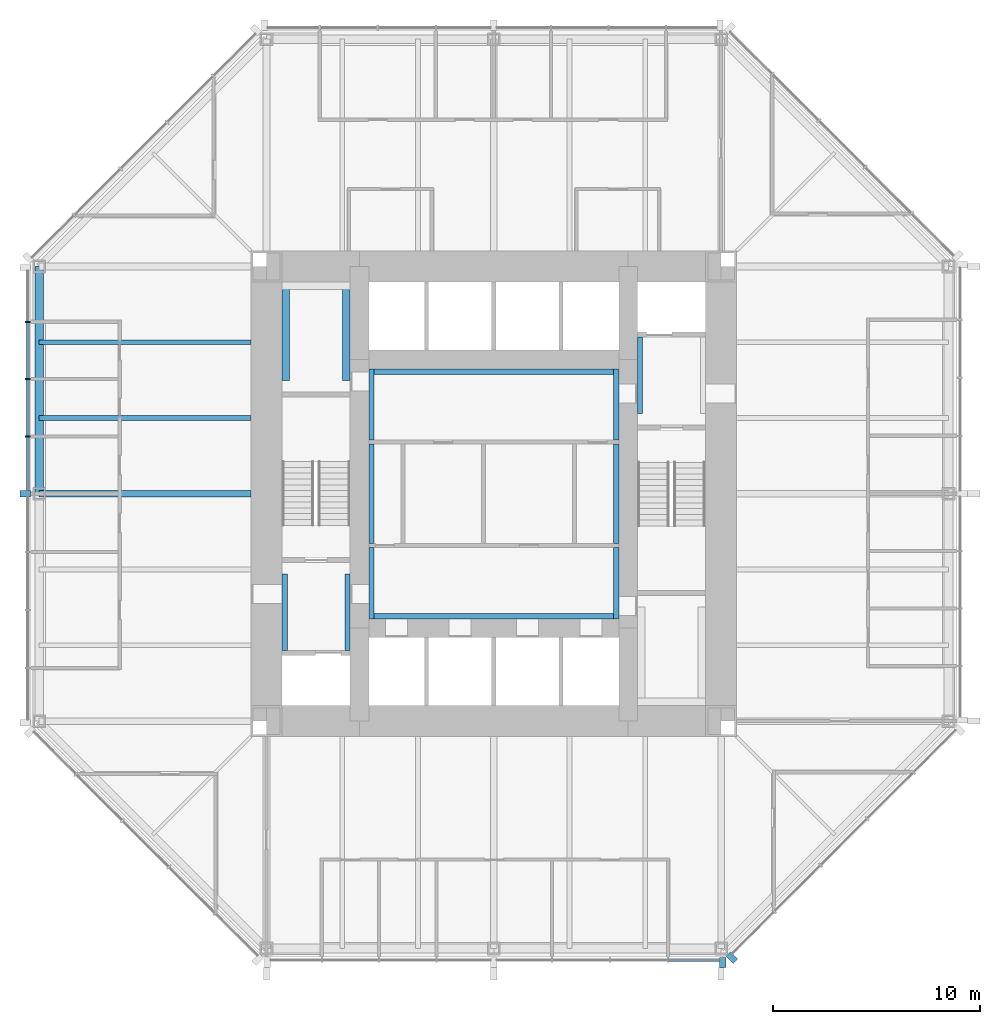
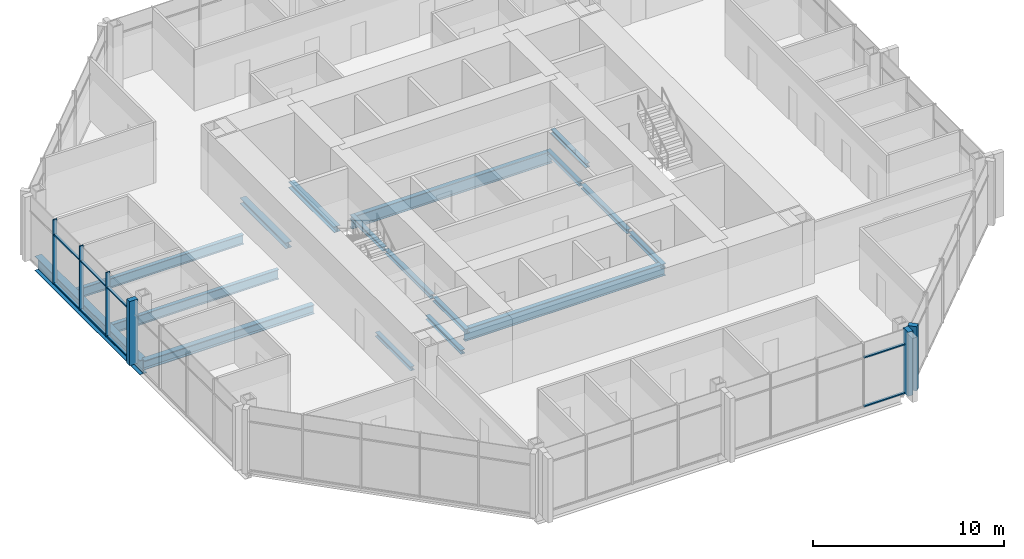
# One storey, part 3 of 12: 17 beams, 14 members, 3 elements without a shape of their own.
"""IFC4 building model written with IfcOpenShell, lengths in metres."""

import ifcopenshell
import ifcopenshell.guid

model = None  # the IFC model being written
_history = None  # IfcOwnerHistory: only IFC2X3 demands one
_inside = {}  # id of a spatial element -> (the spatial element, [elements in it])
_under = {}  # id of a project, library or spatial element -> (it, [spatial elements below it])
_declared = {}  # id of a project -> (the project, [libraries it declares])
_typed = {}  # id of a type object -> (the type object, [elements of that type])
_made_of = {}  # id of a material, layer set ... -> (it, [elements and type objects made of it])


def new_model(schema):
    """Start an empty IFC model of exactly this schema.

    Asked for "IFC4X3", IfcOpenShell would pick the latest addendum, in which some entities
    have other attributes; the version numbers below select the first issue.
    IFC2X3 requires an IfcOwnerHistory on every rooted entity: one is made here for all.
    """
    global model, _history
    if schema == "IFC4X3":
        model = ifcopenshell.file(schema_version=(4, 3, 0, 0))
    else:
        model = ifcopenshell.file(schema=schema)
    _inside.clear()
    _under.clear()
    _declared.clear()
    _typed.clear()
    _made_of.clear()
    _history = None
    if model.schema == "IFC2X3":
        org = make("IfcOrganization", Name="unknown")
        user = make(
            "IfcPersonAndOrganization",
            ThePerson=make("IfcPerson", FamilyName="unknown"),
            TheOrganization=org,
        )
        app = make(
            "IfcApplication",
            ApplicationDeveloper=org,
            Version="unknown",
            ApplicationFullName="unknown",
            ApplicationIdentifier="unknown",
        )
        _history = make(
            "IfcOwnerHistory",
            OwningUser=user,
            OwningApplication=app,
            ChangeAction="ADDED",
            CreationDate=0,
        )
    return model


def make(cls, **values):
    """One entity of the class cls with the attributes given. An attribute that is None is left unset."""
    return model.create_entity(
        cls, **{name: value for name, value in values.items() if value is not None}
    )


def rooted(cls, **values):
    """An entity with a GlobalId (a new one), such as an element, a storey or a relation."""
    return make(cls, GlobalId=ifcopenshell.guid.new(), OwnerHistory=_history, **values)


def si_unit(unit_type, name, prefix=None):
    """IfcSIUnit, for example si_unit("LENGTHUNIT", "METRE", prefix="MILLI")."""
    return make("IfcSIUnit", UnitType=unit_type, Prefix=prefix, Name=name)


def assignment(units):
    """IfcUnitAssignment: the units of a project."""
    return None if units is None else make("IfcUnitAssignment", Units=units)


def point(xyz):
    """IfcCartesianPoint."""
    return None if xyz is None else make("IfcCartesianPoint", Coordinates=xyz)


def direction(xyz):
    """IfcDirection."""
    return None if xyz is None else make("IfcDirection", DirectionRatios=xyz)


def frame(location, z_axis=None, x_axis=None):
    """IfcAxis2Placement3D, a coordinate frame: its origin and axes. An axis left out is left unset."""
    return make(
        "IfcAxis2Placement3D",
        Location=point(location),
        Axis=direction(z_axis),
        RefDirection=direction(x_axis),
    )


def frame_2d(location, x_axis=None):
    """IfcAxis2Placement2D, a coordinate frame in the plane: its origin and x axis."""
    return make(
        "IfcAxis2Placement2D", Location=point(location), RefDirection=direction(x_axis)
    )


def origin():
    """The frame at (0, 0, 0) with its axes left unset."""
    return frame((0.0, 0.0, 0.0))


def origin_2d():
    """The frame at (0, 0) in the plane with its x axis left unset."""
    return frame_2d((0.0, 0.0))


def place(relative_to, where):
    """IfcLocalPlacement: puts the frame where relative to a parent placement (None: the world)."""
    return make(
        "IfcLocalPlacement", PlacementRelTo=relative_to, RelativePlacement=where
    )


def context(
    kind, dimensions, precision=None, world=None, true_north=None, identifier=None
):
    """IfcGeometricRepresentationContext, for example the 3D "Model" context."""
    return make(
        "IfcGeometricRepresentationContext",
        ContextIdentifier=identifier,
        ContextType=kind,
        CoordinateSpaceDimension=dimensions,
        Precision=precision,
        WorldCoordinateSystem=world,
        TrueNorth=true_north,
    )


def subcontext(parent, identifier, kind, view, scale=None):
    """IfcGeometricRepresentationSubContext, for example "Body" below "Model"."""
    return make(
        "IfcGeometricRepresentationSubContext",
        ContextIdentifier=identifier,
        ContextType=kind,
        ParentContext=parent,
        TargetScale=scale,
        TargetView=view,
    )


def project(units=None, contexts=None):
    """IfcProject with its units and contexts."""
    return rooted(
        "IfcProject",
        Name="project",
        RepresentationContexts=contexts,
        UnitsInContext=assignment(units),
    )


def spatial(cls, under=None, at=None, **own):
    """A site, building, storey or space (cls), placed at a placement, below another one or the project."""
    s = rooted(cls, ObjectPlacement=at, **own)
    if under is not None:
        _under.setdefault(under.id(), (under, []))[1].append(s)
    return s


def profile(cls, at=None, kind="AREA", **sizes):
    """A parametric profile (cls). Its sizes go by their IFC names, for example OverallWidth=200.0."""
    return make(cls, ProfileType=kind, Position=at, **sizes)


def rectangle(**sizes):
    """IfcRectangleProfileDef."""
    return profile("IfcRectangleProfileDef", **sizes)


def i_section(**sizes):
    """IfcIShapeProfileDef."""
    return profile("IfcIShapeProfileDef", **sizes)


def extrude(swept, where, along, depth):
    """IfcExtrudedAreaSolid: the profile swept, set in the frame where, extruded along a direction by depth."""
    return make(
        "IfcExtrudedAreaSolid",
        SweptArea=swept,
        Position=where,
        ExtrudedDirection=direction(along),
        Depth=depth,
    )


def shape(context_of_items, identifier, shape_type, items):
    """IfcShapeRepresentation: the items that make up one representation, for example the "Body"."""
    return make(
        "IfcShapeRepresentation",
        ContextOfItems=context_of_items,
        RepresentationIdentifier=identifier,
        RepresentationType=shape_type,
        Items=items,
    )


def material(Name=None, Category=None):
    """IfcMaterial."""
    return make("IfcMaterial", Name=Name, Category=Category)


def material_profile(
    of_material, cross_section, Name=None, Category=None, Priority=None
):
    """IfcMaterialProfile: a cross section and its material."""
    return make(
        "IfcMaterialProfile",
        Name=Name,
        Material=of_material,
        Profile=cross_section,
        Priority=Priority,
        Category=Category,
    )


def profile_set(profiles, Name=None, composite=None):
    """IfcMaterialProfileSet."""
    return make(
        "IfcMaterialProfileSet",
        Name=Name,
        MaterialProfiles=profiles,
        CompositeProfile=composite,
    )


def made_of(thing, what):
    """Note that an element or type object is made of a material, layer set ...; save() writes the relation."""
    if what is not None:
        _made_of.setdefault(what.id(), (what, []))[1].append(thing)
    return thing


def type_object(cls, material=None, **own):
    """A type object (cls), such as IfcWallType, which elements share."""
    return made_of(rooted(cls, **own), material)


def element(
    cls,
    number,
    at=None,
    inside=None,
    cuts=None,
    type_object=None,
    material=None,
    context=None,
    identifier="Body",
    shape_type=None,
    held_by="IfcProductDefinitionShape",
    body=None,
    shapes=None,
    **own,
):
    """One element of the class cls, such as IfcWall. Its Tag is "e" and its number.

    at: its placement. inside: the storey or other place that contains it. cuts: it is an
    opening in that element (IfcRelVoidsElement). A single representation is given by context,
    identifier, shape_type and body (its items); several are given by shapes. held_by: the class
    of the entity that holds the representations. save() writes the other relations.
    """
    e = rooted(cls, Tag="e%d" % number, ObjectPlacement=at, **own)
    if body is not None:
        shapes = [shape(context, identifier, shape_type, body)]
    if shapes is not None:
        e.Representation = make(held_by, Representations=shapes)
    if inside is not None:
        _inside.setdefault(inside.id(), (inside, []))[1].append(e)
    if cuts is not None:
        rooted(
            "IfcRelVoidsElement", RelatingBuildingElement=cuts, RelatedOpeningElement=e
        )
    if type_object is not None:
        _typed.setdefault(type_object.id(), (type_object, []))[1].append(e)
    return made_of(e, material)


def aggregate(whole, parts):
    """IfcRelAggregates: a whole, such as a stair, and the parts it consists of."""
    return rooted("IfcRelAggregates", RelatingObject=whole, RelatedObjects=parts)


def save(model, path):
    """Write the relations noted so far, then the file.

    IfcRelAggregates (storeys below a building ...), IfcRelContainedInSpatialStructure (elements
    in a storey), IfcRelDefinesByType, IfcRelAssociatesMaterial and IfcRelDeclares: one each for
    every whole, place, type object, material and project.
    """
    for whole, parts in _under.values():
        aggregate(whole, parts)
    for where, things in _inside.values():
        rooted(
            "IfcRelContainedInSpatialStructure",
            RelatedElements=things,
            RelatingStructure=where,
        )
    for kind, things in _typed.values():
        rooted("IfcRelDefinesByType", RelatedObjects=things, RelatingType=kind)
    for what, things in _made_of.values():
        rooted("IfcRelAssociatesMaterial", RelatedObjects=things, RelatingMaterial=what)
    for by, libraries in _declared.values():
        rooted("IfcRelDeclares", RelatingContext=by, RelatedDefinitions=libraries)
    model.write(path)


model = new_model("IFC4")

# Units and contexts
model_context = context("Model", 3, precision=1e-05, world=origin(), true_north=direction((0.0, 1.0)))
body_context = subcontext(model_context, "Body", "Model", "MODEL_VIEW")
ifc_project = project(units=[si_unit("LENGTHUNIT", "METRE"), si_unit("AREAUNIT", "SQUARE_METRE"), si_unit("VOLUMEUNIT", "CUBIC_METRE"), si_unit("PLANEANGLEUNIT", "RADIAN"), si_unit("MASSUNIT", "GRAM", prefix="KILO")], contexts=[model_context])

# Site, building, storey
site_placement = place(None, origin())
site = spatial("IfcSite", under=ifc_project, at=site_placement, CompositionType="ELEMENT")
building_placement = place(site_placement, origin())
building = spatial("IfcBuilding", under=site, at=building_placement, Name="Trevanion Tower", CompositionType="ELEMENT")
storey_placement = place(building_placement, frame((0.0, 0.0, 166.39990234375)))
storey = spatial("IfcBuildingStorey", under=building, at=storey_placement, Name="L39", CompositionType="ELEMENT", Elevation=166.39990234375)

# Beams
ifc_material_1 = material(Name="Steel ASTM A992 Grade 50", Category="steel")
ifc_material_profile_1 = material_profile(ifc_material_1, i_section(OverallWidth=0.22900390625, OverallDepth=0.612060546875, WebThickness=0.011962890625, FlangeThickness=0.01953125, at=origin_2d()), Name="W24X84")
ifc_profile_set_1 = profile_set([ifc_material_profile_1], Name="Steel ASTM A992 Grade 50")
beam_type_1 = type_object("IfcBeamType", Name="B7 W24X84", PredefinedType="BEAM", material=ifc_profile_set_1)
for number, where, z_axis, x_axis, name in (
    (1, (-11.75, 7.333251953125, -0.49609375), (-1.0, 0.0, 0.0), (0.0, -1.0, 0.0), "B7 L39"),
    (2, (-11.75, 3.666748046875, -0.49609375), (-1.0, 0.0, 0.0), (0.0, -1.0, 0.0), "B7 L39"),
):
    element("IfcBeam", number, at=place(storey_placement, frame(where, z_axis=z_axis, x_axis=x_axis)), inside=storey, type_object=beam_type_1, Name=name, PredefinedType="BEAM", context=body_context, shape_type="SweptSolid", body=[
        extrude(i_section(OverallWidth=0.22900390625, OverallDepth=0.612060546875, WebThickness=0.011962890625, FlangeThickness=0.01953125, at=origin_2d()), origin(), (0.0, 0.0, 1.0), 10.25),
    ])

# Curtain wall, members
ifc_material_2 = material(Name="Aluminium and glass", Category="aluminium")
curtain_wall_type = type_object("IfcCurtainWallType", Name="CW2 curtain wall", PredefinedType="USERDEFINED", material=ifc_material_2)
curtain_wall_1_placement = place(storey_placement, origin())
curtain_wall_1 = element("IfcCurtainWall", 3, at=curtain_wall_1_placement, inside=storey, type_object=curtain_wall_type, Name="CW2 L39 4", ObjectType="UNITISED CURTAIN WALL", PredefinedType="USERDEFINED")
ifc_material_3 = material(Name="Aluminium extrusion, anodised bronze", Category="aluminium")
ifc_material_profile_2 = material_profile(ifc_material_3, rectangle(XDim=0.074951171875, YDim=0.25, at=origin_2d()), Name="CW2 mullion")
ifc_profile_set_2 = profile_set([ifc_material_profile_2], Name="Aluminium extrusion, anodised bronze")
member_type_1 = type_object("IfcMemberType", Name="CW2 mullion", PredefinedType="MULLION", material=ifc_profile_set_2)
member_1_placement = place(storey_placement, frame((-22.550048828125, 8.323486328125, -0.18994140625), z_axis=(0.0, 0.0, 1.0), x_axis=(0.0, -1.0, 0.0)))
member_1 = element("IfcMember", 4, at=member_1_placement, type_object=member_type_1, Name="CW2 mullion 2", PredefinedType="MULLION", context=body_context, shape_type="SweptSolid", body=[
    extrude(rectangle(XDim=0.074951171875, YDim=0.25, at=origin_2d()), origin(), (0.0, 0.0, 1.0), 4.10009765625),
])
member_2_placement = place(storey_placement, frame((-22.550048828125, 5.548828125, -0.18994140625), z_axis=(0.0, 0.0, 1.0), x_axis=(0.0, -1.0, 0.0)))
member_2 = element("IfcMember", 5, at=member_2_placement, type_object=member_type_1, Name="CW2 mullion 3", PredefinedType="MULLION", context=body_context, shape_type="SweptSolid", body=[
    extrude(rectangle(XDim=0.074951171875, YDim=0.25, at=origin_2d()), origin(), (0.0, 0.0, 1.0), 4.10009765625),
])
member_3_placement = place(storey_placement, frame((-22.550048828125, 2.7744140625, -0.18994140625), z_axis=(0.0, 0.0, 1.0), x_axis=(0.0, -1.0, 0.0)))
member_3 = element("IfcMember", 6, at=member_3_placement, type_object=member_type_1, Name="CW2 mullion 4", PredefinedType="MULLION", context=body_context, shape_type="SweptSolid", body=[
    extrude(rectangle(XDim=0.074951171875, YDim=0.25, at=origin_2d()), origin(), (0.0, 0.0, 1.0), 4.10009765625),
])
ifc_material_4 = material(Name="Aluminium extrusion, anodised bronze", Category="aluminium")
ifc_material_profile_3 = material_profile(ifc_material_4, rectangle(XDim=0.300048828125, YDim=0.5, at=origin_2d()), Name="CW2 pier mullion")
ifc_profile_set_3 = profile_set([ifc_material_profile_3], Name="Aluminium extrusion, anodised bronze")
member_type_2 = type_object("IfcMemberType", Name="CW2 pier mullion", PredefinedType="MULLION", material=ifc_profile_set_3)
member_4_placement = place(storey_placement, frame((-22.675048828125, 0.0, -0.18994140625), z_axis=(0.0, 0.0, 1.0), x_axis=(0.0, -1.0, 0.0)))
member_4 = element("IfcMember", 7, at=member_4_placement, type_object=member_type_2, Name="CW2 pier mullion 5", PredefinedType="MULLION", context=body_context, shape_type="SweptSolid", body=[
    extrude(rectangle(XDim=0.300048828125, YDim=0.5, at=origin_2d()), origin(), (0.0, 0.0, 1.0), 4.10009765625),
])

# Curtain wall, member
curtain_wall_2_placement = place(storey_placement, origin())
curtain_wall_2 = element("IfcCurtainWall", 8, at=curtain_wall_2_placement, inside=storey, type_object=curtain_wall_type, Name="CW2 L39 6", ObjectType="UNITISED CURTAIN WALL", PredefinedType="USERDEFINED")
member_5_placement = place(storey_placement, frame((11.077880859375, -22.675048828125, -0.18994140625), z_axis=(0.0, 0.0, 1.0), x_axis=(1.0, 0.0, 0.0)))
member_5 = element("IfcMember", 9, at=member_5_placement, type_object=member_type_2, Name="CW2 pier mullion 9", PredefinedType="MULLION", context=body_context, shape_type="SweptSolid", body=[
    extrude(rectangle(XDim=0.300048828125, YDim=0.5, at=origin_2d()), origin(), (0.0, 0.0, 1.0), 4.10009765625),
])

curtain_wall_3_placement = place(storey_placement, origin())
curtain_wall_3 = element("IfcCurtainWall", 10, at=curtain_wall_3_placement, inside=storey, type_object=curtain_wall_type, Name="CW2 L39 7", ObjectType="UNITISED CURTAIN WALL", PredefinedType="USERDEFINED")
member_6_placement = place(storey_placement, frame((11.51416015625, -22.4404296875, -0.18994140625), z_axis=(0.0, 0.0, 1.0), x_axis=(0.707106781187, 0.707106781187, 0.0)))
member_6 = element("IfcMember", 11, at=member_6_placement, type_object=member_type_2, Name="CW2 pier mullion 1", PredefinedType="MULLION", context=body_context, shape_type="SweptSolid", body=[
    extrude(rectangle(XDim=0.300048828125, YDim=0.5, at=origin_2d()), origin(), (0.0, 0.0, 1.0), 4.10009765625),
])
aggregate(curtain_wall_3, [member_6])

# Member
ifc_material_5 = material(Name="Aluminium extrusion, anodised bronze", Category="aluminium")
ifc_material_profile_4 = material_profile(ifc_material_5, rectangle(XDim=0.14990234375, YDim=0.074951171875, at=origin_2d()), Name="CW2 transom")
ifc_profile_set_4 = profile_set([ifc_material_profile_4], Name="Aluminium extrusion, anodised bronze")
member_type_3 = type_object("IfcMemberType", Name="CW2 transom", PredefinedType="USERDEFINED", material=ifc_profile_set_4)
member_7_placement = place(storey_placement, frame((-22.550048828125, 8.285888671875, -0.15234375), z_axis=(0.0, -1.0, 0.0), x_axis=(1.0, 0.0, 0.0)))
member_7 = element("IfcMember", 12, at=member_7_placement, type_object=member_type_3, Name="CW2 transom 2.1", ObjectType="TRANSOM", PredefinedType="USERDEFINED", context=body_context, shape_type="SweptSolid", body=[
    extrude(rectangle(XDim=0.14990234375, YDim=0.074951171875, at=origin_2d()), origin(), (0.0, 0.0, 1.0), 2.699462890625),
])

member_8_placement = place(storey_placement, frame((-22.550048828125, 8.285888671875, 2.960205078125), z_axis=(0.0, -1.0, 0.0), x_axis=(1.0, 0.0, 0.0)))
member_8 = element("IfcMember", 13, at=member_8_placement, type_object=member_type_3, Name="CW2 transom 2.2", ObjectType="TRANSOM", PredefinedType="USERDEFINED", context=body_context, shape_type="SweptSolid", body=[
    extrude(rectangle(XDim=0.14990234375, YDim=0.074951171875, at=origin_2d()), origin(), (0.0, 0.0, 1.0), 2.699462890625),
])

member_9_placement = place(storey_placement, frame((-22.550048828125, 5.511474609375, -0.15234375), z_axis=(0.0, -1.0, 0.0), x_axis=(1.0, 0.0, 0.0)))
member_9 = element("IfcMember", 14, at=member_9_placement, type_object=member_type_3, Name="CW2 transom 3.1", ObjectType="TRANSOM", PredefinedType="USERDEFINED", context=body_context, shape_type="SweptSolid", body=[
    extrude(rectangle(XDim=0.14990234375, YDim=0.074951171875, at=origin_2d()), origin(), (0.0, 0.0, 1.0), 2.699462890625),
])

member_10_placement = place(storey_placement, frame((-22.550048828125, 5.511474609375, 2.960205078125), z_axis=(0.0, -1.0, 0.0), x_axis=(1.0, 0.0, 0.0)))
member_10 = element("IfcMember", 15, at=member_10_placement, type_object=member_type_3, Name="CW2 transom 3.2", ObjectType="TRANSOM", PredefinedType="USERDEFINED", context=body_context, shape_type="SweptSolid", body=[
    extrude(rectangle(XDim=0.14990234375, YDim=0.074951171875, at=origin_2d()), origin(), (0.0, 0.0, 1.0), 2.699462890625),
])

member_11_placement = place(storey_placement, frame((-22.550048828125, 2.737060546875, -0.15234375), z_axis=(0.0, -1.0, 0.0), x_axis=(1.0, 0.0, 0.0)))
member_11 = element("IfcMember", 16, at=member_11_placement, type_object=member_type_3, Name="CW2 transom 4.1", ObjectType="TRANSOM", PredefinedType="USERDEFINED", context=body_context, shape_type="SweptSolid", body=[
    extrude(rectangle(XDim=0.14990234375, YDim=0.074951171875, at=origin_2d()), origin(), (0.0, 0.0, 1.0), 2.587158203125),
])

member_12_placement = place(storey_placement, frame((-22.550048828125, 2.737060546875, 2.960205078125), z_axis=(0.0, -1.0, 0.0), x_axis=(1.0, 0.0, 0.0)))
member_12 = element("IfcMember", 17, at=member_12_placement, type_object=member_type_3, Name="CW2 transom 4.2", ObjectType="TRANSOM", PredefinedType="USERDEFINED", context=body_context, shape_type="SweptSolid", body=[
    extrude(rectangle(XDim=0.14990234375, YDim=0.074951171875, at=origin_2d()), origin(), (0.0, 0.0, 1.0), 2.587158203125),
])

aggregate(curtain_wall_1, [member_1, member_2, member_3, member_4, member_7, member_8, member_9, member_10, member_11, member_12])

member_13_placement = place(storey_placement, frame((8.45849609375, -22.550048828125, -0.15234375), z_axis=(1.0, 0.0, 0.0), x_axis=(0.0, 1.0, 0.0)))
member_13 = element("IfcMember", 18, at=member_13_placement, type_object=member_type_3, Name="CW2 transom 8.1", ObjectType="TRANSOM", PredefinedType="USERDEFINED", context=body_context, shape_type="SweptSolid", body=[
    extrude(rectangle(XDim=0.14990234375, YDim=0.074951171875, at=origin_2d()), origin(), (0.0, 0.0, 1.0), 2.46923828125),
])

member_14_placement = place(storey_placement, frame((8.45849609375, -22.550048828125, 2.960205078125), z_axis=(1.0, 0.0, 0.0), x_axis=(0.0, 1.0, 0.0)))
member_14 = element("IfcMember", 19, at=member_14_placement, type_object=member_type_3, Name="CW2 transom 8.2", ObjectType="TRANSOM", PredefinedType="USERDEFINED", context=body_context, shape_type="SweptSolid", body=[
    extrude(rectangle(XDim=0.14990234375, YDim=0.074951171875, at=origin_2d()), origin(), (0.0, 0.0, 1.0), 2.46923828125),
])

aggregate(curtain_wall_2, [member_5, member_13, member_14])

# Beams
ifc_material_6 = material(Name="Steel ASTM A992 Grade 50", Category="steel")
ifc_material_profile_5 = material_profile(ifc_material_6, i_section(OverallWidth=0.320068359375, OverallDepth=0.584228515625, WebThickness=0.023193359375, FlangeThickness=0.04150390625, at=origin_2d()), Name="W21X201")
ifc_profile_set_5 = profile_set([ifc_material_profile_5], Name="Steel ASTM A992 Grade 50")
beam_type_2 = type_object("IfcBeamType", Name="G4 W21X201", PredefinedType="BEAM", material=ifc_profile_set_5)
beam_1_placement = place(storey_placement, frame((-11.75, 0.0, -0.48193359375), z_axis=(-1.0, 0.0, 0.0), x_axis=(0.0, -1.0, 0.0)))
element("IfcBeam", 20, at=beam_1_placement, inside=storey, type_object=beam_type_2, Name="G4 L39", PredefinedType="BEAM", context=body_context, shape_type="SweptSolid", body=[
    extrude(i_section(OverallWidth=0.320068359375, OverallDepth=0.584228515625, WebThickness=0.023193359375, FlangeThickness=0.04150390625, at=origin_2d()), origin(), (0.0, 0.0, 1.0), 10.25),
])
ifc_material_7 = material(Name="Steel ASTM A992 Grade 50", Category="steel")
ifc_material_profile_6 = material_profile(ifc_material_7, i_section(OverallWidth=0.256591796875, OverallDepth=0.26416015625, WebThickness=0.011962890625, FlangeThickness=0.01953125, at=origin_2d()), Name="W10X68")
ifc_profile_set_6 = profile_set([ifc_material_profile_6], Name="Steel ASTM A992 Grade 50")
beam_type_3 = type_object("IfcBeamType", Name="LB1 W10X68", PredefinedType="BEAM", material=ifc_profile_set_6)
for number, where, z_axis, x_axis, name in (
    (21, (-5.921630859375, 2.60009765625, -0.33203125), (0.0, 1.0, 0.0), (-1.0, 0.0, 0.0), "LB1 L39"),
    (22, (5.921630859375, 2.60009765625, -0.33203125), (0.0, 1.0, 0.0), (-1.0, 0.0, 0.0), "LB1 L39"),
    (23, (-5.921630859375, -6.050048828125, -0.33203125), (0.0, 1.0, 0.0), (-1.0, 0.0, 0.0), "LB1 L39"),
    (24, (5.921630859375, -6.050048828125, -0.33203125), (0.0, 1.0, 0.0), (-1.0, 0.0, 0.0), "LB1 L39"),
):
    element("IfcBeam", number, at=place(storey_placement, frame(where, z_axis=z_axis, x_axis=x_axis)), inside=storey, type_object=beam_type_3, Name=name, PredefinedType="BEAM", context=body_context, shape_type="SweptSolid", body=[
        extrude(i_section(OverallWidth=0.256591796875, OverallDepth=0.26416015625, WebThickness=0.011962890625, FlangeThickness=0.01953125, at=origin_2d()), origin(), (0.0, 0.0, 1.0), 3.449951171875),
    ])
for number, where, z_axis, x_axis, name in (
    (25, (7.078369140625, 3.875, -0.33203125), (0.0, 1.0, 0.0), (-1.0, 0.0, 0.0), "LB1 L39"),
    (26, (-10.12158203125, -7.574951171875, -0.33203125), (0.0, 1.0, 0.0), (-1.0, 0.0, 0.0), "LB1 L39"),
    (27, (-7.078369140625, -7.574951171875, -0.33203125), (0.0, 1.0, 0.0), (-1.0, 0.0, 0.0), "LB1 L39"),
):
    element("IfcBeam", number, at=place(storey_placement, frame(where, z_axis=z_axis, x_axis=x_axis)), inside=storey, type_object=beam_type_3, Name=name, PredefinedType="BEAM", context=body_context, shape_type="SweptSolid", body=[
        extrude(i_section(OverallWidth=0.256591796875, OverallDepth=0.26416015625, WebThickness=0.011962890625, FlangeThickness=0.01953125, at=origin_2d()), origin(), (0.0, 0.0, 1.0), 3.699951171875),
    ])
for number, where, z_axis, x_axis, name in (
    (28, (-5.921630859375, -2.39990234375, -0.33203125), (0.0, 1.0, 0.0), (-1.0, 0.0, 0.0), "LB1 L39"),
    (29, (5.921630859375, -2.39990234375, -0.33203125), (0.0, 1.0, 0.0), (-1.0, 0.0, 0.0), "LB1 L39"),
):
    element("IfcBeam", number, at=place(storey_placement, frame(where, z_axis=z_axis, x_axis=x_axis)), inside=storey, type_object=beam_type_3, Name=name, PredefinedType="BEAM", context=body_context, shape_type="SweptSolid", body=[
        extrude(i_section(OverallWidth=0.256591796875, OverallDepth=0.26416015625, WebThickness=0.011962890625, FlangeThickness=0.01953125, at=origin_2d()), origin(), (0.0, 0.0, 1.0), 4.7998046875),
    ])
ifc_material_8 = material(Name="Steel ASTM A992 Grade 50", Category="steel")
ifc_material_profile_7 = material_profile(ifc_material_8, i_section(OverallWidth=0.373291015625, OverallDepth=0.373291015625, WebThickness=0.016357421875, FlangeThickness=0.026123046875, at=origin_2d()), Name="W14X132")
ifc_profile_set_7 = profile_set([ifc_material_profile_7], Name="Steel ASTM A992 Grade 50")
beam_type_4 = type_object("IfcBeamType", Name="LB2 W14X132", PredefinedType="BEAM", material=ifc_profile_set_7)
for number, where, z_axis, x_axis, name in (
    (30, (-10.063232421875, 5.47509765625, -0.38671875), (0.0, 1.0, 0.0), (-1.0, 0.0, 0.0), "LB2 L39"),
    (31, (-7.13671875, 5.47509765625, -0.38671875), (0.0, 1.0, 0.0), (-1.0, 0.0, 0.0), "LB2 L39"),
):
    element("IfcBeam", number, at=place(storey_placement, frame(where, z_axis=z_axis, x_axis=x_axis)), inside=storey, type_object=beam_type_4, Name=name, PredefinedType="BEAM", context=body_context, shape_type="SweptSolid", body=[
        extrude(i_section(OverallWidth=0.373291015625, OverallDepth=0.373291015625, WebThickness=0.016357421875, FlangeThickness=0.026123046875, at=origin_2d()), origin(), (0.0, 0.0, 1.0), 4.77490234375),
    ])
ifc_material_9 = material(Name="Steel ASTM A992 Grade 50", Category="steel")
ifc_material_profile_8 = material_profile(ifc_material_9, i_section(OverallWidth=0.2666015625, OverallDepth=0.76953125, WebThickness=0.015625, FlangeThickness=0.025390625, at=origin_2d()), Name="W30X132")
ifc_profile_set_8 = profile_set([ifc_material_profile_8], Name="Steel ASTM A992 Grade 50")
beam_type_5 = type_object("IfcBeamType", Name="LB3 W30X132", PredefinedType="BEAM", material=ifc_profile_set_8)
for number, where, z_axis, x_axis, name in (
    (32, (-6.050048828125, 5.91650390625, -0.584716796875), (1.0, 0.0, 0.0), (0.0, 1.0, 0.0), "LB3 L39"),
    (33, (-6.050048828125, -5.91650390625, -0.584716796875), (1.0, 0.0, 0.0), (0.0, 1.0, 0.0), "LB3 L39"),
):
    element("IfcBeam", number, at=place(storey_placement, frame(where, z_axis=z_axis, x_axis=x_axis)), inside=storey, type_object=beam_type_5, Name=name, PredefinedType="BEAM", context=body_context, shape_type="SweptSolid", body=[
        extrude(i_section(OverallWidth=0.2666015625, OverallDepth=0.76953125, WebThickness=0.015625, FlangeThickness=0.025390625, at=origin_2d()), origin(), (0.0, 0.0, 1.0), 12.10009765625),
    ])
ifc_material_10 = material(Name="Steel ASTM A992 Grade 50", Category="steel")
ifc_material_profile_9 = material_profile(ifc_material_10, i_section(OverallWidth=0.419189453125, OverallDepth=0.927001953125, WebThickness=0.019287109375, FlangeThickness=0.031982421875, at=origin_2d()), Name="W36X231")
ifc_profile_set_9 = profile_set([ifc_material_profile_9], Name="Steel ASTM A992 Grade 50")
beam_type_6 = type_object("IfcBeamType", Name="SB4 W36X231", PredefinedType="SPANDREL", material=ifc_profile_set_9)
beam_2_placement = place(storey_placement, frame((-22.0, 11.0, -0.6533203125), z_axis=(0.0, -1.0, 0.0), x_axis=(1.0, 0.0, 0.0)))
element("IfcBeam", 34, at=beam_2_placement, inside=storey, type_object=beam_type_6, Name="SB4 L39", PredefinedType="SPANDREL", context=body_context, shape_type="SweptSolid", body=[
    extrude(i_section(OverallWidth=0.419189453125, OverallDepth=0.927001953125, WebThickness=0.019287109375, FlangeThickness=0.031982421875, at=origin_2d()), origin(), (0.0, 0.0, 1.0), 11.0),
])

save(model, "model.ifc")
